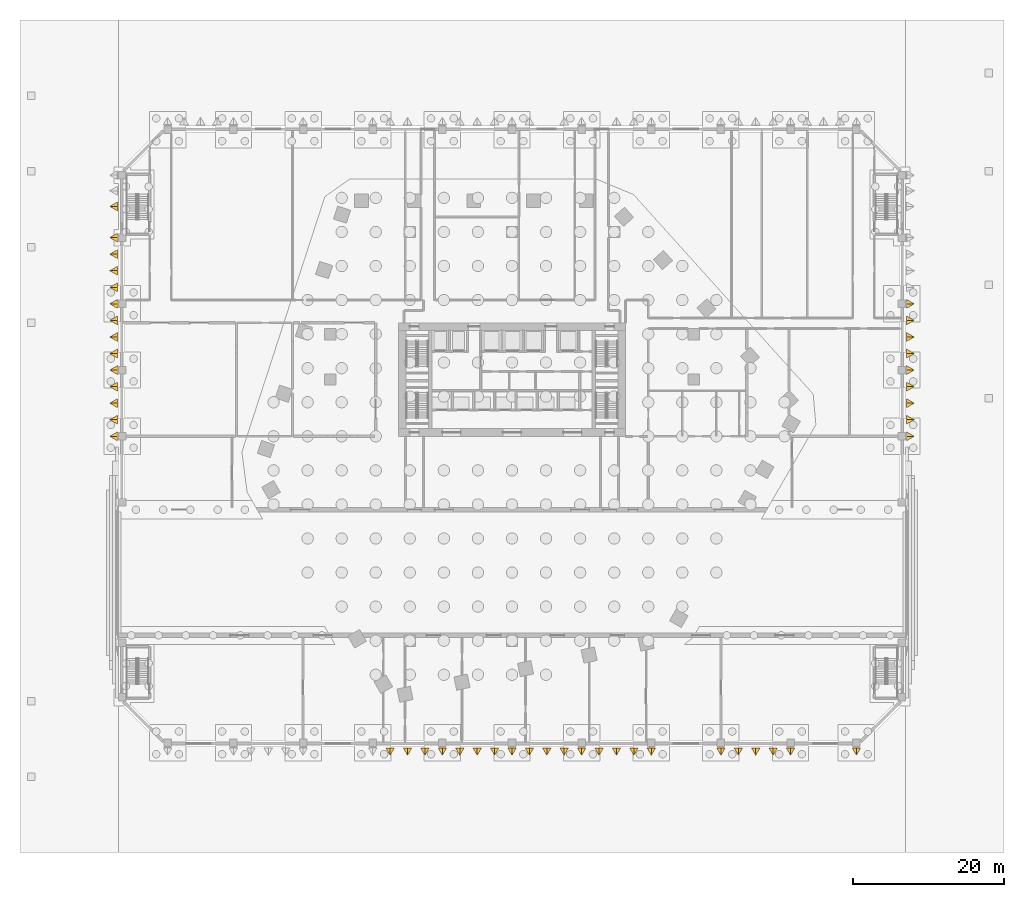
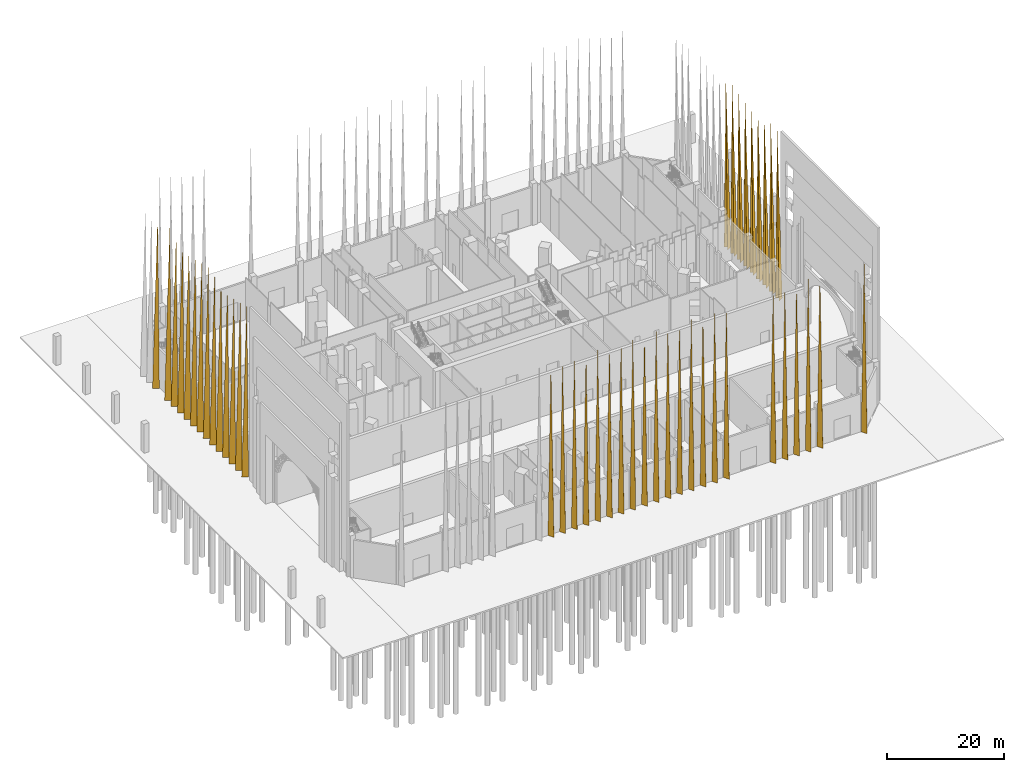
# One storey, part 29 of 32: 45 coverings.
"""IFC4 building model written with IfcOpenShell, lengths in metres."""

from ifc_helpers import new_model, si_unit, direction, origin, place, context, subcontext, project, spatial, polyline, outline, faceted_brep, material, material_profile, profile_set, type_object, element, save


model = new_model("IFC4")

# Units and contexts
model_context = context("Model", 3, precision=1e-05, world=origin(), true_north=direction((0.0, 1.0)))
body_context = subcontext(model_context, "Body", "Model", "MODEL_VIEW")
ifc_project = project(units=[si_unit("LENGTHUNIT", "METRE"), si_unit("AREAUNIT", "SQUARE_METRE"), si_unit("VOLUMEUNIT", "CUBIC_METRE"), si_unit("PLANEANGLEUNIT", "RADIAN"), si_unit("MASSUNIT", "GRAM", prefix="KILO")], contexts=[model_context])

# Site, building, storey
site_placement = place(None, origin())
site = spatial("IfcSite", under=ifc_project, at=site_placement, CompositionType="ELEMENT")
building_placement = place(site_placement, origin())
building = spatial("IfcBuilding", under=site, at=building_placement, Name="Isthmus Gate Tower", CompositionType="ELEMENT")
storey_placement = place(building_placement, origin())
storey = spatial("IfcBuildingStorey", under=building, at=storey_placement, Name="L00", CompositionType="ELEMENT", Elevation=0.0)

# Coverings
ifc_material = material(Name="Structural steel ASTM A572 Gr 50, white paint system", Category="steel")
ifc_material_profile = material_profile(ifc_material, outline(polyline([(0.0, -0.577392578125), (1.0, 0.0), (0.0, 0.577392578125), (0.0, 0.542724609375), (0.93994140625, 0.0), (0.0, -0.542724609375), (0.0, -0.577392578125)])), Name="PV1000")
ifc_profile_set = profile_set([ifc_material_profile], Name="Structural steel ASTM A572 Gr 50, white paint system")
covering_type = type_object("IfcCoveringType", Name="PODIUM FIN V 1000 DEEP", PredefinedType="CLADDING", material=ifc_profile_set)
covering_1_placement = place(storey_placement, origin())
element("IfcCovering", 1, at=covering_1_placement, inside=storey, type_object=covering_type, Name="PODIUM FIN", ObjectType="PODIUM FIN", PredefinedType="CLADDING", context=body_context, shape_type="Brep", body=[
    faceted_brep([(-9.74267578125, -41.14990234375, 0.10009765625), (-9.199951171875, -42.08984375, 0.10009765625), (-8.6572265625, -41.14990234375, 0.10009765625), (-8.62255859375, -41.14990234375, 0.10009765625), (-9.199951171875, -42.14990234375, 0.10009765625), (-9.77734375, -41.14990234375, 0.10009765625), (-9.199951171875, -41.14990234375, 35.60009765625)], [[[0, 1, 2, 3, 4, 5]], [[5, 4, 6]], [[4, 3, 6]], [[3, 2, 6]], [[2, 1, 6]], [[1, 0, 6]], [[0, 5, 6]]]),
])
covering_2_placement = place(storey_placement, origin())
element("IfcCovering", 2, at=covering_2_placement, inside=storey, type_object=covering_type, Name="PODIUM FIN", ObjectType="PODIUM FIN", PredefinedType="CLADDING", context=body_context, shape_type="Brep", body=[
    faceted_brep([(-0.542724609375, -41.14990234375, 0.10009765625), (0.0, -42.08984375, 0.10009765625), (0.542724609375, -41.14990234375, 0.10009765625), (0.577392578125, -41.14990234375, 0.10009765625), (0.0, -42.14990234375, 0.10009765625), (-0.577392578125, -41.14990234375, 0.10009765625), (0.0, -41.14990234375, 35.60009765625)], [[[0, 1, 2, 3, 4, 5]], [[5, 4, 6]], [[4, 3, 6]], [[3, 2, 6]], [[2, 1, 6]], [[1, 0, 6]], [[0, 5, 6]]]),
])
covering_3_placement = place(storey_placement, origin())
element("IfcCovering", 3, at=covering_3_placement, inside=storey, type_object=covering_type, Name="PODIUM FIN", ObjectType="PODIUM FIN", PredefinedType="CLADDING", context=body_context, shape_type="Brep", body=[
    faceted_brep([(8.6572265625, -41.14990234375, 0.10009765625), (9.199951171875, -42.08984375, 0.10009765625), (9.74267578125, -41.14990234375, 0.10009765625), (9.77734375, -41.14990234375, 0.10009765625), (9.199951171875, -42.14990234375, 0.10009765625), (8.62255859375, -41.14990234375, 0.10009765625), (9.199951171875, -41.14990234375, 35.60009765625)], [[[0, 1, 2, 3, 4, 5]], [[5, 4, 6]], [[4, 3, 6]], [[3, 2, 6]], [[2, 1, 6]], [[1, 0, 6]], [[0, 5, 6]]]),
])
covering_4_placement = place(storey_placement, origin())
element("IfcCovering", 4, at=covering_4_placement, inside=storey, type_object=covering_type, Name="PODIUM FIN", ObjectType="PODIUM FIN", PredefinedType="CLADDING", context=body_context, shape_type="Brep", body=[
    faceted_brep([(17.857177734375, -41.14990234375, 0.10009765625), (18.39990234375, -42.08984375, 0.10009765625), (18.942626953125, -41.14990234375, 0.10009765625), (18.977294921875, -41.14990234375, 0.10009765625), (18.39990234375, -42.14990234375, 0.10009765625), (17.822509765625, -41.14990234375, 0.10009765625), (18.39990234375, -41.14990234375, 35.60009765625)], [[[0, 1, 2, 3, 4, 5]], [[5, 4, 6]], [[4, 3, 6]], [[3, 2, 6]], [[2, 1, 6]], [[1, 0, 6]], [[0, 5, 6]]]),
])
covering_5_placement = place(storey_placement, origin())
element("IfcCovering", 5, at=covering_5_placement, inside=storey, type_object=covering_type, Name="PODIUM FIN", ObjectType="PODIUM FIN", PredefinedType="CLADDING", context=body_context, shape_type="Brep", body=[
    faceted_brep([(27.057373046875, -41.14990234375, 0.10009765625), (27.60009765625, -42.08984375, 0.10009765625), (28.142822265625, -41.14990234375, 0.10009765625), (28.177490234375, -41.14990234375, 0.10009765625), (27.60009765625, -42.14990234375, 0.10009765625), (27.022705078125, -41.14990234375, 0.10009765625), (27.60009765625, -41.14990234375, 35.60009765625)], [[[0, 1, 2, 3, 4, 5]], [[5, 4, 6]], [[4, 3, 6]], [[3, 2, 6]], [[2, 1, 6]], [[1, 0, 6]], [[0, 5, 6]]]),
])
covering_6_placement = place(storey_placement, origin())
element("IfcCovering", 6, at=covering_6_placement, inside=storey, type_object=covering_type, Name="PODIUM FIN", ObjectType="PODIUM FIN", PredefinedType="CLADDING", context=body_context, shape_type="Brep", body=[
    faceted_brep([(36.25732421875, -41.14990234375, 0.10009765625), (36.800048828125, -42.08984375, 0.10009765625), (37.3427734375, -41.14990234375, 0.10009765625), (37.37744140625, -41.14990234375, 0.10009765625), (36.800048828125, -42.14990234375, 0.10009765625), (36.22265625, -41.14990234375, 0.10009765625), (36.800048828125, -41.14990234375, 35.60009765625)], [[[0, 1, 2, 3, 4, 5]], [[5, 4, 6]], [[4, 3, 6]], [[3, 2, 6]], [[2, 1, 6]], [[1, 0, 6]], [[0, 5, 6]]]),
])
covering_7_placement = place(storey_placement, origin())
element("IfcCovering", 7, at=covering_7_placement, inside=storey, type_object=covering_type, Name="PODIUM FIN", ObjectType="PODIUM FIN", PredefinedType="CLADDING", context=body_context, shape_type="Brep", body=[
    faceted_brep([(44.957275390625, -41.14990234375, 0.10009765625), (45.5, -42.08984375, 0.10009765625), (46.042724609375, -41.14990234375, 0.10009765625), (46.077392578125, -41.14990234375, 0.10009765625), (45.5, -42.14990234375, 0.10009765625), (44.922607421875, -41.14990234375, 0.10009765625), (45.5, -41.14990234375, 35.60009765625)], [[[0, 1, 2, 3, 4, 5]], [[5, 4, 6]], [[4, 3, 6]], [[3, 2, 6]], [[2, 1, 6]], [[1, 0, 6]], [[0, 5, 6]]]),
])
covering_8_placement = place(storey_placement, origin())
element("IfcCovering", 8, at=covering_8_placement, inside=storey, type_object=covering_type, Name="PODIUM FIN", ObjectType="PODIUM FIN", PredefinedType="CLADDING", context=body_context, shape_type="Brep", body=[
    faceted_brep([(52.14990234375, -0.542724609375, 0.10009765625), (53.08984375, 0.0, 0.10009765625), (52.14990234375, 0.542724609375, 0.10009765625), (52.14990234375, 0.577392578125, 0.10009765625), (53.14990234375, 0.0, 0.10009765625), (52.14990234375, -0.577392578125, 0.10009765625), (52.14990234375, 0.0, 35.60009765625)], [[[0, 1, 2, 3, 4, 5]], [[5, 4, 6]], [[4, 3, 6]], [[3, 2, 6]], [[2, 1, 6]], [[1, 0, 6]], [[0, 5, 6]]]),
])
covering_9_placement = place(storey_placement, origin())
element("IfcCovering", 9, at=covering_9_placement, inside=storey, type_object=covering_type, Name="PODIUM FIN", ObjectType="PODIUM FIN", PredefinedType="CLADDING", context=body_context, shape_type="Brep", body=[
    faceted_brep([(52.14990234375, 8.207275390625, 0.10009765625), (53.08984375, 8.75, 0.10009765625), (52.14990234375, 9.292724609375, 0.10009765625), (52.14990234375, 9.327392578125, 0.10009765625), (53.14990234375, 8.75, 0.10009765625), (52.14990234375, 8.172607421875, 0.10009765625), (52.14990234375, 8.75, 35.60009765625)], [[[0, 1, 2, 3, 4, 5]], [[5, 4, 6]], [[4, 3, 6]], [[3, 2, 6]], [[2, 1, 6]], [[1, 0, 6]], [[0, 5, 6]]]),
])
covering_10_placement = place(storey_placement, origin())
element("IfcCovering", 10, at=covering_10_placement, inside=storey, type_object=covering_type, Name="PODIUM FIN", ObjectType="PODIUM FIN", PredefinedType="CLADDING", context=body_context, shape_type="Brep", body=[
    faceted_brep([(52.14990234375, 16.957275390625, 0.10009765625), (53.08984375, 17.5, 0.10009765625), (52.14990234375, 18.042724609375, 0.10009765625), (52.14990234375, 18.077392578125, 0.10009765625), (53.14990234375, 17.5, 0.10009765625), (52.14990234375, 16.922607421875, 0.10009765625), (52.14990234375, 17.5, 35.60009765625)], [[[0, 1, 2, 3, 4, 5]], [[5, 4, 6]], [[4, 3, 6]], [[3, 2, 6]], [[2, 1, 6]], [[1, 0, 6]], [[0, 5, 6]]]),
])
covering_11_placement = place(storey_placement, origin())
element("IfcCovering", 11, at=covering_11_placement, inside=storey, type_object=covering_type, Name="PODIUM FIN", ObjectType="PODIUM FIN", PredefinedType="CLADDING", context=body_context, shape_type="Brep", body=[
    faceted_brep([(-52.14990234375, 26.792724609375, 0.10009765625), (-53.08984375, 26.25, 0.10009765625), (-52.14990234375, 25.707275390625, 0.10009765625), (-52.14990234375, 25.672607421875, 0.10009765625), (-53.14990234375, 26.25, 0.10009765625), (-52.14990234375, 26.827392578125, 0.10009765625), (-52.14990234375, 26.25, 35.60009765625)], [[[0, 1, 2, 3, 4, 5]], [[5, 4, 6]], [[4, 3, 6]], [[3, 2, 6]], [[2, 1, 6]], [[1, 0, 6]], [[0, 5, 6]]]),
])
covering_12_placement = place(storey_placement, origin())
element("IfcCovering", 12, at=covering_12_placement, inside=storey, type_object=covering_type, Name="PODIUM FIN", ObjectType="PODIUM FIN", PredefinedType="CLADDING", context=body_context, shape_type="Brep", body=[
    faceted_brep([(-52.14990234375, 18.042724609375, 0.10009765625), (-53.08984375, 17.5, 0.10009765625), (-52.14990234375, 16.957275390625, 0.10009765625), (-52.14990234375, 16.922607421875, 0.10009765625), (-53.14990234375, 17.5, 0.10009765625), (-52.14990234375, 18.077392578125, 0.10009765625), (-52.14990234375, 17.5, 35.60009765625)], [[[0, 1, 2, 3, 4, 5]], [[5, 4, 6]], [[4, 3, 6]], [[3, 2, 6]], [[2, 1, 6]], [[1, 0, 6]], [[0, 5, 6]]]),
])
covering_13_placement = place(storey_placement, origin())
element("IfcCovering", 13, at=covering_13_placement, inside=storey, type_object=covering_type, Name="PODIUM FIN", ObjectType="PODIUM FIN", PredefinedType="CLADDING", context=body_context, shape_type="Brep", body=[
    faceted_brep([(-52.14990234375, 9.292724609375, 0.10009765625), (-53.08984375, 8.75, 0.10009765625), (-52.14990234375, 8.207275390625, 0.10009765625), (-52.14990234375, 8.172607421875, 0.10009765625), (-53.14990234375, 8.75, 0.10009765625), (-52.14990234375, 9.327392578125, 0.10009765625), (-52.14990234375, 8.75, 35.60009765625)], [[[0, 1, 2, 3, 4, 5]], [[5, 4, 6]], [[4, 3, 6]], [[3, 2, 6]], [[2, 1, 6]], [[1, 0, 6]], [[0, 5, 6]]]),
])
covering_14_placement = place(storey_placement, origin())
element("IfcCovering", 14, at=covering_14_placement, inside=storey, type_object=covering_type, Name="PODIUM FIN", ObjectType="PODIUM FIN", PredefinedType="CLADDING", context=body_context, shape_type="Brep", body=[
    faceted_brep([(-52.14990234375, 0.542724609375, 0.10009765625), (-53.08984375, 0.0, 0.10009765625), (-52.14990234375, -0.542724609375, 0.10009765625), (-52.14990234375, -0.577392578125, 0.10009765625), (-53.14990234375, 0.0, 0.10009765625), (-52.14990234375, 0.577392578125, 0.10009765625), (-52.14990234375, 0.0, 35.60009765625)], [[[0, 1, 2, 3, 4, 5]], [[5, 4, 6]], [[4, 3, 6]], [[3, 2, 6]], [[2, 1, 6]], [[1, 0, 6]], [[0, 5, 6]]]),
])
covering_15_placement = place(storey_placement, origin())
element("IfcCovering", 15, at=covering_15_placement, inside=storey, type_object=covering_type, Name="PODIUM FIN", ObjectType="PODIUM FIN", PredefinedType="CLADDING", context=body_context, shape_type="Brep", body=[
    faceted_brep([(52.14990234375, 1.644775390625, 0.10009765625), (53.08984375, 2.1875, 0.10009765625), (52.14990234375, 2.730224609375, 0.10009765625), (52.14990234375, 2.764892578125, 0.10009765625), (53.14990234375, 2.1875, 0.10009765625), (52.14990234375, 1.610107421875, 0.10009765625), (52.14990234375, 2.1875, 35.60009765625)], [[[0, 1, 2, 3, 4, 5]], [[5, 4, 6]], [[4, 3, 6]], [[3, 2, 6]], [[2, 1, 6]], [[1, 0, 6]], [[0, 5, 6]]]),
])
covering_16_placement = place(storey_placement, origin())
element("IfcCovering", 16, at=covering_16_placement, inside=storey, type_object=covering_type, Name="PODIUM FIN", ObjectType="PODIUM FIN", PredefinedType="CLADDING", context=body_context, shape_type="Brep", body=[
    faceted_brep([(52.14990234375, 3.832275390625, 0.10009765625), (53.08984375, 4.375, 0.10009765625), (52.14990234375, 4.917724609375, 0.10009765625), (52.14990234375, 4.952392578125, 0.10009765625), (53.14990234375, 4.375, 0.10009765625), (52.14990234375, 3.797607421875, 0.10009765625), (52.14990234375, 4.375, 35.60009765625)], [[[0, 1, 2, 3, 4, 5]], [[5, 4, 6]], [[4, 3, 6]], [[3, 2, 6]], [[2, 1, 6]], [[1, 0, 6]], [[0, 5, 6]]]),
])
covering_17_placement = place(storey_placement, origin())
element("IfcCovering", 17, at=covering_17_placement, inside=storey, type_object=covering_type, Name="PODIUM FIN", ObjectType="PODIUM FIN", PredefinedType="CLADDING", context=body_context, shape_type="Brep", body=[
    faceted_brep([(52.14990234375, 6.019775390625, 0.10009765625), (53.08984375, 6.5625, 0.10009765625), (52.14990234375, 7.105224609375, 0.10009765625), (52.14990234375, 7.139892578125, 0.10009765625), (53.14990234375, 6.5625, 0.10009765625), (52.14990234375, 5.985107421875, 0.10009765625), (52.14990234375, 6.5625, 35.60009765625)], [[[0, 1, 2, 3, 4, 5]], [[5, 4, 6]], [[4, 3, 6]], [[3, 2, 6]], [[2, 1, 6]], [[1, 0, 6]], [[0, 5, 6]]]),
])
covering_18_placement = place(storey_placement, origin())
element("IfcCovering", 18, at=covering_18_placement, inside=storey, type_object=covering_type, Name="PODIUM FIN", ObjectType="PODIUM FIN", PredefinedType="CLADDING", context=body_context, shape_type="Brep", body=[
    faceted_brep([(52.14990234375, 10.394775390625, 0.10009765625), (53.08984375, 10.9375, 0.10009765625), (52.14990234375, 11.480224609375, 0.10009765625), (52.14990234375, 11.514892578125, 0.10009765625), (53.14990234375, 10.9375, 0.10009765625), (52.14990234375, 10.360107421875, 0.10009765625), (52.14990234375, 10.9375, 35.60009765625)], [[[0, 1, 2, 3, 4, 5]], [[5, 4, 6]], [[4, 3, 6]], [[3, 2, 6]], [[2, 1, 6]], [[1, 0, 6]], [[0, 5, 6]]]),
])
covering_19_placement = place(storey_placement, origin())
element("IfcCovering", 19, at=covering_19_placement, inside=storey, type_object=covering_type, Name="PODIUM FIN", ObjectType="PODIUM FIN", PredefinedType="CLADDING", context=body_context, shape_type="Brep", body=[
    faceted_brep([(52.14990234375, 12.582275390625, 0.10009765625), (53.08984375, 13.125, 0.10009765625), (52.14990234375, 13.667724609375, 0.10009765625), (52.14990234375, 13.702392578125, 0.10009765625), (53.14990234375, 13.125, 0.10009765625), (52.14990234375, 12.547607421875, 0.10009765625), (52.14990234375, 13.125, 35.60009765625)], [[[0, 1, 2, 3, 4, 5]], [[5, 4, 6]], [[4, 3, 6]], [[3, 2, 6]], [[2, 1, 6]], [[1, 0, 6]], [[0, 5, 6]]]),
])
covering_20_placement = place(storey_placement, origin())
element("IfcCovering", 20, at=covering_20_placement, inside=storey, type_object=covering_type, Name="PODIUM FIN", ObjectType="PODIUM FIN", PredefinedType="CLADDING", context=body_context, shape_type="Brep", body=[
    faceted_brep([(52.14990234375, 14.769775390625, 0.10009765625), (53.08984375, 15.3125, 0.10009765625), (52.14990234375, 15.855224609375, 0.10009765625), (52.14990234375, 15.889892578125, 0.10009765625), (53.14990234375, 15.3125, 0.10009765625), (52.14990234375, 14.735107421875, 0.10009765625), (52.14990234375, 15.3125, 35.60009765625)], [[[0, 1, 2, 3, 4, 5]], [[5, 4, 6]], [[4, 3, 6]], [[3, 2, 6]], [[2, 1, 6]], [[1, 0, 6]], [[0, 5, 6]]]),
])
covering_21_placement = place(storey_placement, origin())
element("IfcCovering", 21, at=covering_21_placement, inside=storey, type_object=covering_type, Name="PODIUM FIN", ObjectType="PODIUM FIN", PredefinedType="CLADDING", context=body_context, shape_type="Brep", body=[
    faceted_brep([(-16.642822265625, -41.14990234375, 0.10009765625), (-16.10009765625, -42.08984375, 0.10009765625), (-15.557373046875, -41.14990234375, 0.10009765625), (-15.522705078125, -41.14990234375, 0.10009765625), (-16.10009765625, -42.14990234375, 0.10009765625), (-16.677490234375, -41.14990234375, 0.10009765625), (-16.10009765625, -41.14990234375, 35.60009765625)], [[[0, 1, 2, 3, 4, 5]], [[5, 4, 6]], [[4, 3, 6]], [[3, 2, 6]], [[2, 1, 6]], [[1, 0, 6]], [[0, 5, 6]]]),
])
covering_22_placement = place(storey_placement, origin())
element("IfcCovering", 22, at=covering_22_placement, inside=storey, type_object=covering_type, Name="PODIUM FIN", ObjectType="PODIUM FIN", PredefinedType="CLADDING", context=body_context, shape_type="Brep", body=[
    faceted_brep([(-14.3427734375, -41.14990234375, 0.10009765625), (-13.800048828125, -42.08984375, 0.10009765625), (-13.25732421875, -41.14990234375, 0.10009765625), (-13.22265625, -41.14990234375, 0.10009765625), (-13.800048828125, -42.14990234375, 0.10009765625), (-14.37744140625, -41.14990234375, 0.10009765625), (-13.800048828125, -41.14990234375, 35.60009765625)], [[[0, 1, 2, 3, 4, 5]], [[5, 4, 6]], [[4, 3, 6]], [[3, 2, 6]], [[2, 1, 6]], [[1, 0, 6]], [[0, 5, 6]]]),
])
covering_23_placement = place(storey_placement, origin())
element("IfcCovering", 23, at=covering_23_placement, inside=storey, type_object=covering_type, Name="PODIUM FIN", ObjectType="PODIUM FIN", PredefinedType="CLADDING", context=body_context, shape_type="Brep", body=[
    faceted_brep([(-12.042724609375, -41.14990234375, 0.10009765625), (-11.5, -42.08984375, 0.10009765625), (-10.957275390625, -41.14990234375, 0.10009765625), (-10.922607421875, -41.14990234375, 0.10009765625), (-11.5, -42.14990234375, 0.10009765625), (-12.077392578125, -41.14990234375, 0.10009765625), (-11.5, -41.14990234375, 35.60009765625)], [[[0, 1, 2, 3, 4, 5]], [[5, 4, 6]], [[4, 3, 6]], [[3, 2, 6]], [[2, 1, 6]], [[1, 0, 6]], [[0, 5, 6]]]),
])
covering_24_placement = place(storey_placement, origin())
element("IfcCovering", 24, at=covering_24_placement, inside=storey, type_object=covering_type, Name="PODIUM FIN", ObjectType="PODIUM FIN", PredefinedType="CLADDING", context=body_context, shape_type="Brep", body=[
    faceted_brep([(-7.442626953125, -41.14990234375, 0.10009765625), (-6.89990234375, -42.08984375, 0.10009765625), (-6.357177734375, -41.14990234375, 0.10009765625), (-6.322509765625, -41.14990234375, 0.10009765625), (-6.89990234375, -42.14990234375, 0.10009765625), (-7.477294921875, -41.14990234375, 0.10009765625), (-6.89990234375, -41.14990234375, 35.60009765625)], [[[0, 1, 2, 3, 4, 5]], [[5, 4, 6]], [[4, 3, 6]], [[3, 2, 6]], [[2, 1, 6]], [[1, 0, 6]], [[0, 5, 6]]]),
])
covering_25_placement = place(storey_placement, origin())
element("IfcCovering", 25, at=covering_25_placement, inside=storey, type_object=covering_type, Name="PODIUM FIN", ObjectType="PODIUM FIN", PredefinedType="CLADDING", context=body_context, shape_type="Brep", body=[
    faceted_brep([(-5.142822265625, -41.14990234375, 0.10009765625), (-4.60009765625, -42.08984375, 0.10009765625), (-4.057373046875, -41.14990234375, 0.10009765625), (-4.022705078125, -41.14990234375, 0.10009765625), (-4.60009765625, -42.14990234375, 0.10009765625), (-5.177490234375, -41.14990234375, 0.10009765625), (-4.60009765625, -41.14990234375, 35.60009765625)], [[[0, 1, 2, 3, 4, 5]], [[5, 4, 6]], [[4, 3, 6]], [[3, 2, 6]], [[2, 1, 6]], [[1, 0, 6]], [[0, 5, 6]]]),
])
covering_26_placement = place(storey_placement, origin())
element("IfcCovering", 26, at=covering_26_placement, inside=storey, type_object=covering_type, Name="PODIUM FIN", ObjectType="PODIUM FIN", PredefinedType="CLADDING", context=body_context, shape_type="Brep", body=[
    faceted_brep([(-2.8427734375, -41.14990234375, 0.10009765625), (-2.300048828125, -42.08984375, 0.10009765625), (-1.75732421875, -41.14990234375, 0.10009765625), (-1.72265625, -41.14990234375, 0.10009765625), (-2.300048828125, -42.14990234375, 0.10009765625), (-2.87744140625, -41.14990234375, 0.10009765625), (-2.300048828125, -41.14990234375, 35.60009765625)], [[[0, 1, 2, 3, 4, 5]], [[5, 4, 6]], [[4, 3, 6]], [[3, 2, 6]], [[2, 1, 6]], [[1, 0, 6]], [[0, 5, 6]]]),
])
covering_27_placement = place(storey_placement, origin())
element("IfcCovering", 27, at=covering_27_placement, inside=storey, type_object=covering_type, Name="PODIUM FIN", ObjectType="PODIUM FIN", PredefinedType="CLADDING", context=body_context, shape_type="Brep", body=[
    faceted_brep([(1.75732421875, -41.14990234375, 0.10009765625), (2.300048828125, -42.08984375, 0.10009765625), (2.8427734375, -41.14990234375, 0.10009765625), (2.87744140625, -41.14990234375, 0.10009765625), (2.300048828125, -42.14990234375, 0.10009765625), (1.72265625, -41.14990234375, 0.10009765625), (2.300048828125, -41.14990234375, 35.60009765625)], [[[0, 1, 2, 3, 4, 5]], [[5, 4, 6]], [[4, 3, 6]], [[3, 2, 6]], [[2, 1, 6]], [[1, 0, 6]], [[0, 5, 6]]]),
])
covering_28_placement = place(storey_placement, origin())
element("IfcCovering", 28, at=covering_28_placement, inside=storey, type_object=covering_type, Name="PODIUM FIN", ObjectType="PODIUM FIN", PredefinedType="CLADDING", context=body_context, shape_type="Brep", body=[
    faceted_brep([(4.057373046875, -41.14990234375, 0.10009765625), (4.60009765625, -42.08984375, 0.10009765625), (5.142822265625, -41.14990234375, 0.10009765625), (5.177490234375, -41.14990234375, 0.10009765625), (4.60009765625, -42.14990234375, 0.10009765625), (4.022705078125, -41.14990234375, 0.10009765625), (4.60009765625, -41.14990234375, 35.60009765625)], [[[0, 1, 2, 3, 4, 5]], [[5, 4, 6]], [[4, 3, 6]], [[3, 2, 6]], [[2, 1, 6]], [[1, 0, 6]], [[0, 5, 6]]]),
])
covering_29_placement = place(storey_placement, origin())
element("IfcCovering", 29, at=covering_29_placement, inside=storey, type_object=covering_type, Name="PODIUM FIN", ObjectType="PODIUM FIN", PredefinedType="CLADDING", context=body_context, shape_type="Brep", body=[
    faceted_brep([(6.357177734375, -41.14990234375, 0.10009765625), (6.89990234375, -42.08984375, 0.10009765625), (7.442626953125, -41.14990234375, 0.10009765625), (7.477294921875, -41.14990234375, 0.10009765625), (6.89990234375, -42.14990234375, 0.10009765625), (6.322509765625, -41.14990234375, 0.10009765625), (6.89990234375, -41.14990234375, 35.60009765625)], [[[0, 1, 2, 3, 4, 5]], [[5, 4, 6]], [[4, 3, 6]], [[3, 2, 6]], [[2, 1, 6]], [[1, 0, 6]], [[0, 5, 6]]]),
])
covering_30_placement = place(storey_placement, origin())
element("IfcCovering", 30, at=covering_30_placement, inside=storey, type_object=covering_type, Name="PODIUM FIN", ObjectType="PODIUM FIN", PredefinedType="CLADDING", context=body_context, shape_type="Brep", body=[
    faceted_brep([(10.957275390625, -41.14990234375, 0.10009765625), (11.5, -42.08984375, 0.10009765625), (12.042724609375, -41.14990234375, 0.10009765625), (12.077392578125, -41.14990234375, 0.10009765625), (11.5, -42.14990234375, 0.10009765625), (10.922607421875, -41.14990234375, 0.10009765625), (11.5, -41.14990234375, 35.60009765625)], [[[0, 1, 2, 3, 4, 5]], [[5, 4, 6]], [[4, 3, 6]], [[3, 2, 6]], [[2, 1, 6]], [[1, 0, 6]], [[0, 5, 6]]]),
])
covering_31_placement = place(storey_placement, origin())
element("IfcCovering", 31, at=covering_31_placement, inside=storey, type_object=covering_type, Name="PODIUM FIN", ObjectType="PODIUM FIN", PredefinedType="CLADDING", context=body_context, shape_type="Brep", body=[
    faceted_brep([(13.25732421875, -41.14990234375, 0.10009765625), (13.800048828125, -42.08984375, 0.10009765625), (14.3427734375, -41.14990234375, 0.10009765625), (14.37744140625, -41.14990234375, 0.10009765625), (13.800048828125, -42.14990234375, 0.10009765625), (13.22265625, -41.14990234375, 0.10009765625), (13.800048828125, -41.14990234375, 35.60009765625)], [[[0, 1, 2, 3, 4, 5]], [[5, 4, 6]], [[4, 3, 6]], [[3, 2, 6]], [[2, 1, 6]], [[1, 0, 6]], [[0, 5, 6]]]),
])
covering_32_placement = place(storey_placement, origin())
element("IfcCovering", 32, at=covering_32_placement, inside=storey, type_object=covering_type, Name="PODIUM FIN", ObjectType="PODIUM FIN", PredefinedType="CLADDING", context=body_context, shape_type="Brep", body=[
    faceted_brep([(15.557373046875, -41.14990234375, 0.10009765625), (16.10009765625, -42.08984375, 0.10009765625), (16.642822265625, -41.14990234375, 0.10009765625), (16.677490234375, -41.14990234375, 0.10009765625), (16.10009765625, -42.14990234375, 0.10009765625), (15.522705078125, -41.14990234375, 0.10009765625), (16.10009765625, -41.14990234375, 35.60009765625)], [[[0, 1, 2, 3, 4, 5]], [[5, 4, 6]], [[4, 3, 6]], [[3, 2, 6]], [[2, 1, 6]], [[1, 0, 6]], [[0, 5, 6]]]),
])
covering_33_placement = place(storey_placement, origin())
element("IfcCovering", 33, at=covering_33_placement, inside=storey, type_object=covering_type, Name="PODIUM FIN", ObjectType="PODIUM FIN", PredefinedType="CLADDING", context=body_context, shape_type="Brep", body=[
    faceted_brep([(29.357177734375, -41.14990234375, 0.10009765625), (29.89990234375, -42.08984375, 0.10009765625), (30.442626953125, -41.14990234375, 0.10009765625), (30.477294921875, -41.14990234375, 0.10009765625), (29.89990234375, -42.14990234375, 0.10009765625), (29.322509765625, -41.14990234375, 0.10009765625), (29.89990234375, -41.14990234375, 35.60009765625)], [[[0, 1, 2, 3, 4, 5]], [[5, 4, 6]], [[4, 3, 6]], [[3, 2, 6]], [[2, 1, 6]], [[1, 0, 6]], [[0, 5, 6]]]),
])
covering_34_placement = place(storey_placement, origin())
element("IfcCovering", 34, at=covering_34_placement, inside=storey, type_object=covering_type, Name="PODIUM FIN", ObjectType="PODIUM FIN", PredefinedType="CLADDING", context=body_context, shape_type="Brep", body=[
    faceted_brep([(31.6572265625, -41.14990234375, 0.10009765625), (32.199951171875, -42.08984375, 0.10009765625), (32.74267578125, -41.14990234375, 0.10009765625), (32.77734375, -41.14990234375, 0.10009765625), (32.199951171875, -42.14990234375, 0.10009765625), (31.62255859375, -41.14990234375, 0.10009765625), (32.199951171875, -41.14990234375, 35.60009765625)], [[[0, 1, 2, 3, 4, 5]], [[5, 4, 6]], [[4, 3, 6]], [[3, 2, 6]], [[2, 1, 6]], [[1, 0, 6]], [[0, 5, 6]]]),
])
covering_35_placement = place(storey_placement, origin())
element("IfcCovering", 35, at=covering_35_placement, inside=storey, type_object=covering_type, Name="PODIUM FIN", ObjectType="PODIUM FIN", PredefinedType="CLADDING", context=body_context, shape_type="Brep", body=[
    faceted_brep([(33.957275390625, -41.14990234375, 0.10009765625), (34.5, -42.08984375, 0.10009765625), (35.042724609375, -41.14990234375, 0.10009765625), (35.077392578125, -41.14990234375, 0.10009765625), (34.5, -42.14990234375, 0.10009765625), (33.922607421875, -41.14990234375, 0.10009765625), (34.5, -41.14990234375, 35.60009765625)], [[[0, 1, 2, 3, 4, 5]], [[5, 4, 6]], [[4, 3, 6]], [[3, 2, 6]], [[2, 1, 6]], [[1, 0, 6]], [[0, 5, 6]]]),
])
covering_36_placement = place(storey_placement, origin())
element("IfcCovering", 36, at=covering_36_placement, inside=storey, type_object=covering_type, Name="PODIUM FIN", ObjectType="PODIUM FIN", PredefinedType="CLADDING", context=body_context, shape_type="Brep", body=[
    faceted_brep([(-52.14990234375, 30.917724609375, 0.10009765625), (-53.08984375, 30.375, 0.10009765625), (-52.14990234375, 29.832275390625, 0.10009765625), (-52.14990234375, 29.797607421875, 0.10009765625), (-53.14990234375, 30.375, 0.10009765625), (-52.14990234375, 30.952392578125, 0.10009765625), (-52.14990234375, 30.375, 35.60009765625)], [[[0, 1, 2, 3, 4, 5]], [[5, 4, 6]], [[4, 3, 6]], [[3, 2, 6]], [[2, 1, 6]], [[1, 0, 6]], [[0, 5, 6]]]),
])
covering_37_placement = place(storey_placement, origin())
element("IfcCovering", 37, at=covering_37_placement, inside=storey, type_object=covering_type, Name="PODIUM FIN", ObjectType="PODIUM FIN", PredefinedType="CLADDING", context=body_context, shape_type="Brep", body=[
    faceted_brep([(-52.14990234375, 24.605224609375, 0.10009765625), (-53.08984375, 24.0625, 0.10009765625), (-52.14990234375, 23.519775390625, 0.10009765625), (-52.14990234375, 23.485107421875, 0.10009765625), (-53.14990234375, 24.0625, 0.10009765625), (-52.14990234375, 24.639892578125, 0.10009765625), (-52.14990234375, 24.0625, 35.60009765625)], [[[0, 1, 2, 3, 4, 5]], [[5, 4, 6]], [[4, 3, 6]], [[3, 2, 6]], [[2, 1, 6]], [[1, 0, 6]], [[0, 5, 6]]]),
])
covering_38_placement = place(storey_placement, origin())
element("IfcCovering", 38, at=covering_38_placement, inside=storey, type_object=covering_type, Name="PODIUM FIN", ObjectType="PODIUM FIN", PredefinedType="CLADDING", context=body_context, shape_type="Brep", body=[
    faceted_brep([(-52.14990234375, 22.417724609375, 0.10009765625), (-53.08984375, 21.875, 0.10009765625), (-52.14990234375, 21.332275390625, 0.10009765625), (-52.14990234375, 21.297607421875, 0.10009765625), (-53.14990234375, 21.875, 0.10009765625), (-52.14990234375, 22.452392578125, 0.10009765625), (-52.14990234375, 21.875, 35.60009765625)], [[[0, 1, 2, 3, 4, 5]], [[5, 4, 6]], [[4, 3, 6]], [[3, 2, 6]], [[2, 1, 6]], [[1, 0, 6]], [[0, 5, 6]]]),
])
covering_39_placement = place(storey_placement, origin())
element("IfcCovering", 39, at=covering_39_placement, inside=storey, type_object=covering_type, Name="PODIUM FIN", ObjectType="PODIUM FIN", PredefinedType="CLADDING", context=body_context, shape_type="Brep", body=[
    faceted_brep([(-52.14990234375, 20.230224609375, 0.10009765625), (-53.08984375, 19.6875, 0.10009765625), (-52.14990234375, 19.144775390625, 0.10009765625), (-52.14990234375, 19.110107421875, 0.10009765625), (-53.14990234375, 19.6875, 0.10009765625), (-52.14990234375, 20.264892578125, 0.10009765625), (-52.14990234375, 19.6875, 35.60009765625)], [[[0, 1, 2, 3, 4, 5]], [[5, 4, 6]], [[4, 3, 6]], [[3, 2, 6]], [[2, 1, 6]], [[1, 0, 6]], [[0, 5, 6]]]),
])
covering_40_placement = place(storey_placement, origin())
element("IfcCovering", 40, at=covering_40_placement, inside=storey, type_object=covering_type, Name="PODIUM FIN", ObjectType="PODIUM FIN", PredefinedType="CLADDING", context=body_context, shape_type="Brep", body=[
    faceted_brep([(-52.14990234375, 15.855224609375, 0.10009765625), (-53.08984375, 15.3125, 0.10009765625), (-52.14990234375, 14.769775390625, 0.10009765625), (-52.14990234375, 14.735107421875, 0.10009765625), (-53.14990234375, 15.3125, 0.10009765625), (-52.14990234375, 15.889892578125, 0.10009765625), (-52.14990234375, 15.3125, 35.60009765625)], [[[0, 1, 2, 3, 4, 5]], [[5, 4, 6]], [[4, 3, 6]], [[3, 2, 6]], [[2, 1, 6]], [[1, 0, 6]], [[0, 5, 6]]]),
])
covering_41_placement = place(storey_placement, origin())
element("IfcCovering", 41, at=covering_41_placement, inside=storey, type_object=covering_type, Name="PODIUM FIN", ObjectType="PODIUM FIN", PredefinedType="CLADDING", context=body_context, shape_type="Brep", body=[
    faceted_brep([(-52.14990234375, 13.667724609375, 0.10009765625), (-53.08984375, 13.125, 0.10009765625), (-52.14990234375, 12.582275390625, 0.10009765625), (-52.14990234375, 12.547607421875, 0.10009765625), (-53.14990234375, 13.125, 0.10009765625), (-52.14990234375, 13.702392578125, 0.10009765625), (-52.14990234375, 13.125, 35.60009765625)], [[[0, 1, 2, 3, 4, 5]], [[5, 4, 6]], [[4, 3, 6]], [[3, 2, 6]], [[2, 1, 6]], [[1, 0, 6]], [[0, 5, 6]]]),
])
covering_42_placement = place(storey_placement, origin())
element("IfcCovering", 42, at=covering_42_placement, inside=storey, type_object=covering_type, Name="PODIUM FIN", ObjectType="PODIUM FIN", PredefinedType="CLADDING", context=body_context, shape_type="Brep", body=[
    faceted_brep([(-52.14990234375, 11.480224609375, 0.10009765625), (-53.08984375, 10.9375, 0.10009765625), (-52.14990234375, 10.394775390625, 0.10009765625), (-52.14990234375, 10.360107421875, 0.10009765625), (-53.14990234375, 10.9375, 0.10009765625), (-52.14990234375, 11.514892578125, 0.10009765625), (-52.14990234375, 10.9375, 35.60009765625)], [[[0, 1, 2, 3, 4, 5]], [[5, 4, 6]], [[4, 3, 6]], [[3, 2, 6]], [[2, 1, 6]], [[1, 0, 6]], [[0, 5, 6]]]),
])
covering_43_placement = place(storey_placement, origin())
element("IfcCovering", 43, at=covering_43_placement, inside=storey, type_object=covering_type, Name="PODIUM FIN", ObjectType="PODIUM FIN", PredefinedType="CLADDING", context=body_context, shape_type="Brep", body=[
    faceted_brep([(-52.14990234375, 7.105224609375, 0.10009765625), (-53.08984375, 6.5625, 0.10009765625), (-52.14990234375, 6.019775390625, 0.10009765625), (-52.14990234375, 5.985107421875, 0.10009765625), (-53.14990234375, 6.5625, 0.10009765625), (-52.14990234375, 7.139892578125, 0.10009765625), (-52.14990234375, 6.5625, 35.60009765625)], [[[0, 1, 2, 3, 4, 5]], [[5, 4, 6]], [[4, 3, 6]], [[3, 2, 6]], [[2, 1, 6]], [[1, 0, 6]], [[0, 5, 6]]]),
])
covering_44_placement = place(storey_placement, origin())
element("IfcCovering", 44, at=covering_44_placement, inside=storey, type_object=covering_type, Name="PODIUM FIN", ObjectType="PODIUM FIN", PredefinedType="CLADDING", context=body_context, shape_type="Brep", body=[
    faceted_brep([(-52.14990234375, 4.917724609375, 0.10009765625), (-53.08984375, 4.375, 0.10009765625), (-52.14990234375, 3.832275390625, 0.10009765625), (-52.14990234375, 3.797607421875, 0.10009765625), (-53.14990234375, 4.375, 0.10009765625), (-52.14990234375, 4.952392578125, 0.10009765625), (-52.14990234375, 4.375, 35.60009765625)], [[[0, 1, 2, 3, 4, 5]], [[5, 4, 6]], [[4, 3, 6]], [[3, 2, 6]], [[2, 1, 6]], [[1, 0, 6]], [[0, 5, 6]]]),
])
covering_45_placement = place(storey_placement, origin())
element("IfcCovering", 45, at=covering_45_placement, inside=storey, type_object=covering_type, Name="PODIUM FIN", ObjectType="PODIUM FIN", PredefinedType="CLADDING", context=body_context, shape_type="Brep", body=[
    faceted_brep([(-52.14990234375, 2.730224609375, 0.10009765625), (-53.08984375, 2.1875, 0.10009765625), (-52.14990234375, 1.644775390625, 0.10009765625), (-52.14990234375, 1.610107421875, 0.10009765625), (-53.14990234375, 2.1875, 0.10009765625), (-52.14990234375, 2.764892578125, 0.10009765625), (-52.14990234375, 2.1875, 35.60009765625)], [[[0, 1, 2, 3, 4, 5]], [[5, 4, 6]], [[4, 3, 6]], [[3, 2, 6]], [[2, 1, 6]], [[1, 0, 6]], [[0, 5, 6]]]),
])

save(model, "model.ifc")
